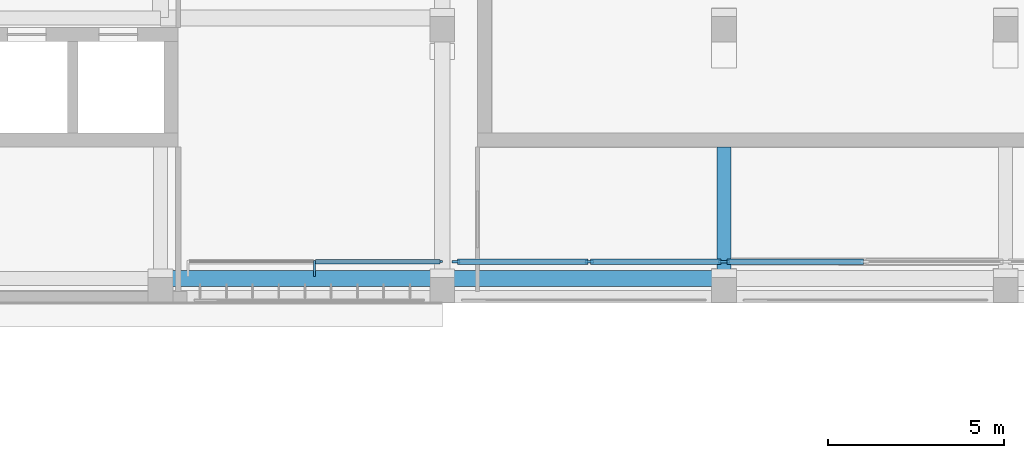
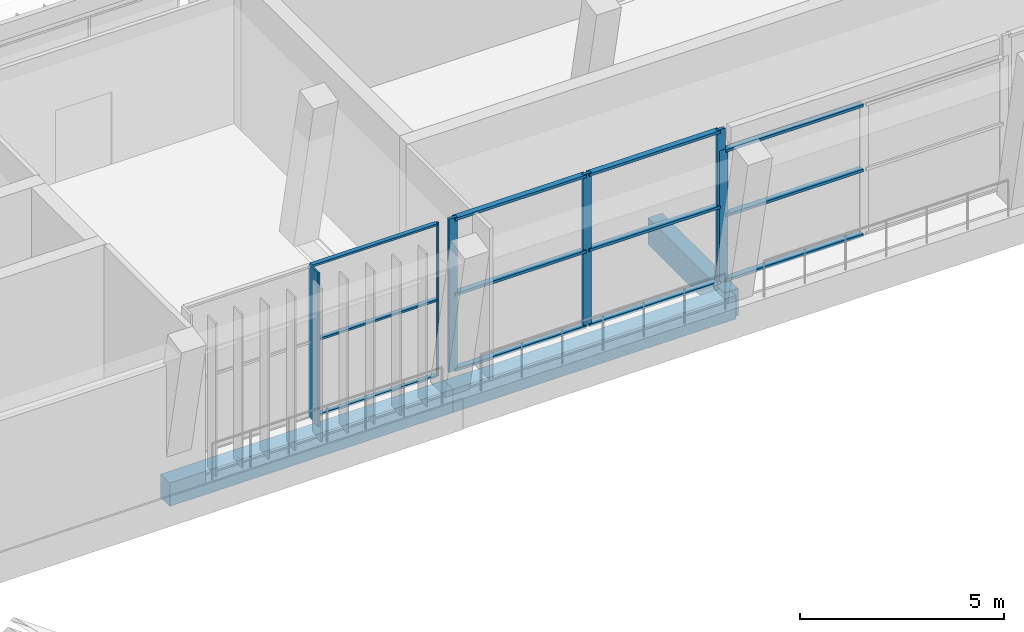
# One storey, part 5 of 74: 18 members, 3 beams, 3 elements without a shape of their own.
"""IFC4 building model written with IfcOpenShell, lengths in metres."""

from ifc_helpers import new_model, si_unit, direction, frame, origin, origin_2d, place, context, subcontext, project, spatial, rectangle, extrude, material, material_profile, profile_set, type_object, element, aggregate, save


model = new_model("IFC4")

# Units and contexts
model_context = context("Model", 3, precision=1e-05, world=origin(), true_north=direction((0.0, 1.0)))
body_context = subcontext(model_context, "Body", "Model", "MODEL_VIEW")
ifc_project = project(units=[si_unit("LENGTHUNIT", "METRE"), si_unit("AREAUNIT", "SQUARE_METRE"), si_unit("VOLUMEUNIT", "CUBIC_METRE"), si_unit("PLANEANGLEUNIT", "RADIAN"), si_unit("MASSUNIT", "GRAM", prefix="KILO")], contexts=[model_context])

# Site, building, storey
site_placement = place(None, origin())
site = spatial("IfcSite", under=ifc_project, at=site_placement, CompositionType="ELEMENT")
building_placement = place(site_placement, origin())
building = spatial("IfcBuilding", under=site, at=building_placement, Name="Lantern Court Media Centre", CompositionType="ELEMENT")
storey_placement = place(building_placement, frame((0.0, 0.0, 19.199951171875)))
storey = spatial("IfcBuildingStorey", under=building, at=storey_placement, Name="L04", CompositionType="ELEMENT", Elevation=19.199951171875)

# Curtain wall, members
ifc_material_1 = material(Name="Curtain wall bay 3000")
curtain_wall_type_1 = type_object("IfcCurtainWallType", Name="Curtain wall bay 3000", PredefinedType="NOTDEFINED", material=ifc_material_1)
curtain_wall_1_placement = place(storey_placement, origin())
curtain_wall_1 = element("IfcCurtainWall", 1, at=curtain_wall_1_placement, inside=storey, type_object=curtain_wall_type_1, Name="Curtain wall S outer L04", PredefinedType="NOTDEFINED")
ifc_material_2 = material(Name="Anodised aluminium", Category="aluminium")
ifc_material_profile_1 = material_profile(ifc_material_2, rectangle(XDim=0.449951171875, YDim=0.06005859375, at=origin_2d()), Name="AL 60x450")
ifc_profile_set_1 = profile_set([ifc_material_profile_1], Name="Anodised aluminium")
member_type_1 = type_object("IfcMemberType", Name="Curtain wall mullion 60x450", PredefinedType="MULLION", material=ifc_profile_set_1)
member_1_placement = place(storey_placement, frame((36.375, 44.955078125, 0.0), z_axis=(0.0, 0.0, 1.0), x_axis=(0.0, 1.0, 0.0)))
member_1 = element("IfcMember", 2, at=member_1_placement, type_object=member_type_1, Name="CW1 mullion 2", PredefinedType="MULLION", context=body_context, shape_type="SweptSolid", body=[
    extrude(rectangle(XDim=0.449951171875, YDim=0.06005859375, at=origin_2d()), origin(), (0.0, 0.0, 1.0), 4.580078125),
])
ifc_material_profile_2 = material_profile(ifc_material_2, rectangle(XDim=0.06005859375, YDim=0.06005859375, at=origin_2d()), Name="AL 60x60")
ifc_profile_set_2 = profile_set([ifc_material_profile_2], Name="Anodised aluminium")
member_type_2 = type_object("IfcMemberType", Name="Curtain wall mullion 60x60", PredefinedType="MULLION", material=ifc_profile_set_2)
member_2_placement = place(storey_placement, frame((39.969970703125, 45.14990234375, 0.0), z_axis=(0.0, 0.0, 1.0), x_axis=(0.0, 1.0, 0.0)))
member_2 = element("IfcMember", 3, at=member_2_placement, type_object=member_type_2, Name="CW1 mullion 3", PredefinedType="MULLION", context=body_context, shape_type="SweptSolid", body=[
    extrude(rectangle(XDim=0.06005859375, YDim=0.06005859375, at=origin_2d()), origin(), (0.0, 0.0, 1.0), 4.580078125),
])

ifc_material_3 = material(Name="Curtain wall bay 4000")
curtain_wall_type_2 = type_object("IfcCurtainWallType", Name="Curtain wall bay 4000", PredefinedType="NOTDEFINED", material=ifc_material_3)
curtain_wall_2_placement = place(storey_placement, origin())
curtain_wall_2 = element("IfcCurtainWall", 4, at=curtain_wall_2_placement, inside=storey, type_object=curtain_wall_type_2, Name="Curtain wall S outer L04", PredefinedType="NOTDEFINED")
ifc_material_profile_3 = material_profile(ifc_material_2, rectangle(XDim=0.080078125, YDim=0.239990234375, at=origin_2d()), Name="AL 80x240")
ifc_profile_set_3 = profile_set([ifc_material_profile_3], Name="Anodised aluminium")
member_type_3 = type_object("IfcMemberType", Name="Curtain wall mullion 80x240", PredefinedType="MULLION", material=ifc_profile_set_3)
member_3_placement = place(storey_placement, frame((40.389892578125, 45.14990234375, 0.0), z_axis=(0.0, 0.0, 1.0), x_axis=(0.0, 1.0, 0.0)))
member_3 = element("IfcMember", 5, at=member_3_placement, type_object=member_type_3, Name="CW3 mullion 1", PredefinedType="MULLION", context=body_context, shape_type="SweptSolid", body=[
    extrude(rectangle(XDim=0.080078125, YDim=0.239990234375, at=origin_2d()), origin(), (0.0, 0.0, 1.0), 4.580078125),
])
member_4_placement = place(storey_placement, frame((44.175048828125, 45.14990234375, 0.0), z_axis=(0.0, 0.0, 1.0), x_axis=(0.0, 1.0, 0.0)))
member_4 = element("IfcMember", 6, at=member_4_placement, type_object=member_type_3, Name="CW3 mullion 2", PredefinedType="MULLION", context=body_context, shape_type="SweptSolid", body=[
    extrude(rectangle(XDim=0.080078125, YDim=0.239990234375, at=origin_2d()), origin(), (0.0, 0.0, 1.0), 4.580078125),
])
member_5_placement = place(storey_placement, frame((47.9599609375, 45.14990234375, 0.0), z_axis=(0.0, 0.0, 1.0), x_axis=(0.0, 1.0, 0.0)))
member_5 = element("IfcMember", 7, at=member_5_placement, type_object=member_type_3, Name="CW3 mullion 3", PredefinedType="MULLION", context=body_context, shape_type="SweptSolid", body=[
    extrude(rectangle(XDim=0.080078125, YDim=0.239990234375, at=origin_2d()), origin(), (0.0, 0.0, 1.0), 4.580078125),
])

# Curtain wall, member
curtain_wall_3_placement = place(storey_placement, origin())
curtain_wall_3 = element("IfcCurtainWall", 8, at=curtain_wall_3_placement, inside=storey, type_object=curtain_wall_type_2, Name="Curtain wall S outer L04", PredefinedType="NOTDEFINED")
member_6_placement = place(storey_placement, frame((48.0400390625, 45.14990234375, 0.0), z_axis=(0.0, 0.0, 1.0), x_axis=(0.0, 1.0, 0.0)))
member_6 = element("IfcMember", 9, at=member_6_placement, type_object=member_type_3, Name="CW3 mullion 1", PredefinedType="MULLION", context=body_context, shape_type="SweptSolid", body=[
    extrude(rectangle(XDim=0.080078125, YDim=0.239990234375, at=origin_2d()), origin(), (0.0, 0.0, 1.0), 3.949951171875),
])

# Member
ifc_material_profile_4 = material_profile(ifc_material_2, rectangle(XDim=0.159912109375, YDim=0.080078125, at=origin_2d()), Name="AL 80x160")
ifc_profile_set_4 = profile_set([ifc_material_profile_4], Name="Anodised aluminium")
member_type_4 = type_object("IfcMemberType", Name="Curtain wall transom 160x80", PredefinedType="USERDEFINED", material=ifc_profile_set_4)
member_7_placement = place(storey_placement, frame((40.429931640625, 45.14990234375, 0.0400390625), z_axis=(1.0, 0.0, 0.0), x_axis=(0.0, 1.0, 0.0)))
member_7 = element("IfcMember", 10, at=member_7_placement, type_object=member_type_4, Name="CW3 transom 1.1", ObjectType="TRANSOM", PredefinedType="USERDEFINED", context=body_context, shape_type="SweptSolid", body=[
    extrude(rectangle(XDim=0.159912109375, YDim=0.080078125, at=origin_2d()), origin(), (0.0, 0.0, 1.0), 3.705078125),
])

member_8_placement = place(storey_placement, frame((40.429931640625, 45.14990234375, 2.2900390625), z_axis=(1.0, 0.0, 0.0), x_axis=(0.0, 1.0, 0.0)))
member_8 = element("IfcMember", 11, at=member_8_placement, type_object=member_type_4, Name="CW3 transom 1.2", ObjectType="TRANSOM", PredefinedType="USERDEFINED", context=body_context, shape_type="SweptSolid", body=[
    extrude(rectangle(XDim=0.159912109375, YDim=0.080078125, at=origin_2d()), origin(), (0.0, 0.0, 1.0), 3.705078125),
])

member_9_placement = place(storey_placement, frame((40.429931640625, 45.14990234375, 4.5400390625), z_axis=(1.0, 0.0, 0.0), x_axis=(0.0, 1.0, 0.0)))
member_9 = element("IfcMember", 12, at=member_9_placement, type_object=member_type_4, Name="CW3 transom 1.3", ObjectType="TRANSOM", PredefinedType="USERDEFINED", context=body_context, shape_type="SweptSolid", body=[
    extrude(rectangle(XDim=0.159912109375, YDim=0.080078125, at=origin_2d()), origin(), (0.0, 0.0, 1.0), 3.705078125),
])

member_10_placement = place(storey_placement, frame((44.215087890625, 45.14990234375, 0.0400390625), z_axis=(1.0, 0.0, 0.0), x_axis=(0.0, 1.0, 0.0)))
member_10 = element("IfcMember", 13, at=member_10_placement, type_object=member_type_4, Name="CW3 transom 2.1", ObjectType="TRANSOM", PredefinedType="USERDEFINED", context=body_context, shape_type="SweptSolid", body=[
    extrude(rectangle(XDim=0.159912109375, YDim=0.080078125, at=origin_2d()), origin(), (0.0, 0.0, 1.0), 3.704833984375),
])

member_11_placement = place(storey_placement, frame((44.215087890625, 45.14990234375, 2.2900390625), z_axis=(1.0, 0.0, 0.0), x_axis=(0.0, 1.0, 0.0)))
member_11 = element("IfcMember", 14, at=member_11_placement, type_object=member_type_4, Name="CW3 transom 2.2", ObjectType="TRANSOM", PredefinedType="USERDEFINED", context=body_context, shape_type="SweptSolid", body=[
    extrude(rectangle(XDim=0.159912109375, YDim=0.080078125, at=origin_2d()), origin(), (0.0, 0.0, 1.0), 3.704833984375),
])

member_12_placement = place(storey_placement, frame((44.215087890625, 45.14990234375, 4.5400390625), z_axis=(1.0, 0.0, 0.0), x_axis=(0.0, 1.0, 0.0)))
member_12 = element("IfcMember", 15, at=member_12_placement, type_object=member_type_4, Name="CW3 transom 2.3", ObjectType="TRANSOM", PredefinedType="USERDEFINED", context=body_context, shape_type="SweptSolid", body=[
    extrude(rectangle(XDim=0.159912109375, YDim=0.080078125, at=origin_2d()), origin(), (0.0, 0.0, 1.0), 3.704833984375),
])

aggregate(curtain_wall_2, [member_3, member_4, member_5, member_7, member_8, member_9, member_10, member_11, member_12])

member_13_placement = place(storey_placement, frame((48.080078125, 45.14990234375, 0.0400390625), z_axis=(1.0, 0.0, 0.0), x_axis=(0.0, 1.0, 0.0)))
member_13 = element("IfcMember", 16, at=member_13_placement, type_object=member_type_4, Name="CW3 transom 1.1", ObjectType="TRANSOM", PredefinedType="USERDEFINED", context=body_context, shape_type="SweptSolid", body=[
    extrude(rectangle(XDim=0.159912109375, YDim=0.080078125, at=origin_2d()), origin(), (0.0, 0.0, 1.0), 3.8798828125),
])

member_14_placement = place(storey_placement, frame((48.080078125, 45.14990234375, 1.97509765625), z_axis=(1.0, 0.0, 0.0), x_axis=(0.0, 1.0, 0.0)))
member_14 = element("IfcMember", 17, at=member_14_placement, type_object=member_type_4, Name="CW3 transom 1.2", ObjectType="TRANSOM", PredefinedType="USERDEFINED", context=body_context, shape_type="SweptSolid", body=[
    extrude(rectangle(XDim=0.159912109375, YDim=0.080078125, at=origin_2d()), origin(), (0.0, 0.0, 1.0), 3.8798828125),
])

member_15_placement = place(storey_placement, frame((48.080078125, 45.14990234375, 3.91015625), z_axis=(1.0, 0.0, 0.0), x_axis=(0.0, 1.0, 0.0)))
member_15 = element("IfcMember", 18, at=member_15_placement, type_object=member_type_4, Name="CW3 transom 1.3", ObjectType="TRANSOM", PredefinedType="USERDEFINED", context=body_context, shape_type="SweptSolid", body=[
    extrude(rectangle(XDim=0.159912109375, YDim=0.080078125, at=origin_2d()), origin(), (0.0, 0.0, 1.0), 3.8798828125),
])

aggregate(curtain_wall_3, [member_6, member_13, member_14, member_15])

ifc_material_profile_5 = material_profile(ifc_material_2, rectangle(XDim=0.1201171875, YDim=0.06005859375, at=origin_2d()), Name="AL 60x120")
ifc_profile_set_5 = profile_set([ifc_material_profile_5], Name="Anodised aluminium")
member_type_5 = type_object("IfcMemberType", Name="Curtain wall transom 60x120", PredefinedType="USERDEFINED", material=ifc_profile_set_5)
member_16_placement = place(storey_placement, frame((36.405029296875, 45.14990234375, 0.030029296875), z_axis=(1.0, 0.0, 0.0), x_axis=(0.0, 1.0, 0.0)))
member_16 = element("IfcMember", 19, at=member_16_placement, type_object=member_type_5, Name="CW1 transom 2.1", ObjectType="TRANSOM", PredefinedType="USERDEFINED", context=body_context, shape_type="SweptSolid", body=[
    extrude(rectangle(XDim=0.1201171875, YDim=0.06005859375, at=origin_2d()), origin(), (0.0, 0.0, 1.0), 3.534912109375),
])

member_17_placement = place(storey_placement, frame((36.405029296875, 45.14990234375, 2.2900390625), z_axis=(1.0, 0.0, 0.0), x_axis=(0.0, 1.0, 0.0)))
member_17 = element("IfcMember", 20, at=member_17_placement, type_object=member_type_5, Name="CW1 transom 2.2", ObjectType="TRANSOM", PredefinedType="USERDEFINED", context=body_context, shape_type="SweptSolid", body=[
    extrude(rectangle(XDim=0.1201171875, YDim=0.06005859375, at=origin_2d()), origin(), (0.0, 0.0, 1.0), 3.534912109375),
])

member_18_placement = place(storey_placement, frame((36.405029296875, 45.14990234375, 4.550048828125), z_axis=(1.0, 0.0, 0.0), x_axis=(0.0, 1.0, 0.0)))
member_18 = element("IfcMember", 21, at=member_18_placement, type_object=member_type_5, Name="CW1 transom 2.3", ObjectType="TRANSOM", PredefinedType="USERDEFINED", context=body_context, shape_type="SweptSolid", body=[
    extrude(rectangle(XDim=0.1201171875, YDim=0.06005859375, at=origin_2d()), origin(), (0.0, 0.0, 1.0), 3.534912109375),
])

aggregate(curtain_wall_1, [member_1, member_2, member_16, member_17, member_18])

# Beams
ifc_material_4 = material(Name="Concrete C35", Category="concrete")
ifc_material_profile_6 = material_profile(ifc_material_4, rectangle(XDim=0.39990234375, YDim=0.800048828125, at=origin_2d()), Name="RC 400x800")
ifc_profile_set_6 = profile_set([ifc_material_profile_6], Name="Concrete C35")
beam_type_1 = type_object("IfcBeamType", Name="RC BEAM 400x800", PredefinedType="BEAM", material=ifc_profile_set_6)
beam_placement = place(storey_placement, frame((48.0, 44.683349609375, -0.39990234375), z_axis=(0.0, 1.0, 0.0), x_axis=(-1.0, 0.0, 0.0)))
element("IfcBeam", 22, at=beam_placement, inside=storey, type_object=beam_type_1, Name="TB-S-L04-3-1", PredefinedType="BEAM", context=body_context, shape_type="SweptSolid", body=[
    extrude(rectangle(XDim=0.39990234375, YDim=0.800048828125, at=origin_2d()), origin(), (0.0, 0.0, 1.0), 3.716552734375),
])
ifc_material_profile_7 = material_profile(ifc_material_4, rectangle(XDim=0.449951171875, YDim=0.699951171875, at=origin_2d()), Name="RC 450x700")
ifc_profile_set_7 = profile_set([ifc_material_profile_7], Name="Concrete C35")
beam_type_2 = type_object("IfcBeamType", Name="RC BEAM 450x700", PredefinedType="BEAM", material=ifc_profile_set_7)
for number, where, z_axis, x_axis, name in (
    (23, (32.0, 44.6728515625, -0.349853515625), (1.0, 0.0, 0.0), (0.0, 1.0, 0.0), "LB-S-L04-0-1"),
    (24, (40.0, 44.6728515625, -0.349853515625), (1.0, 0.0, 0.0), (0.0, 1.0, 0.0), "LB-S-L04-0-2"),
):
    element("IfcBeam", number, at=place(storey_placement, frame(where, z_axis=z_axis, x_axis=x_axis)), inside=storey, type_object=beam_type_2, Name=name, PredefinedType="BEAM", context=body_context, shape_type="SweptSolid", body=[
        extrude(rectangle(XDim=0.449951171875, YDim=0.699951171875, at=origin_2d()), origin(), (0.0, 0.0, 1.0), 8.0),
    ])

save(model, "model.ifc")
